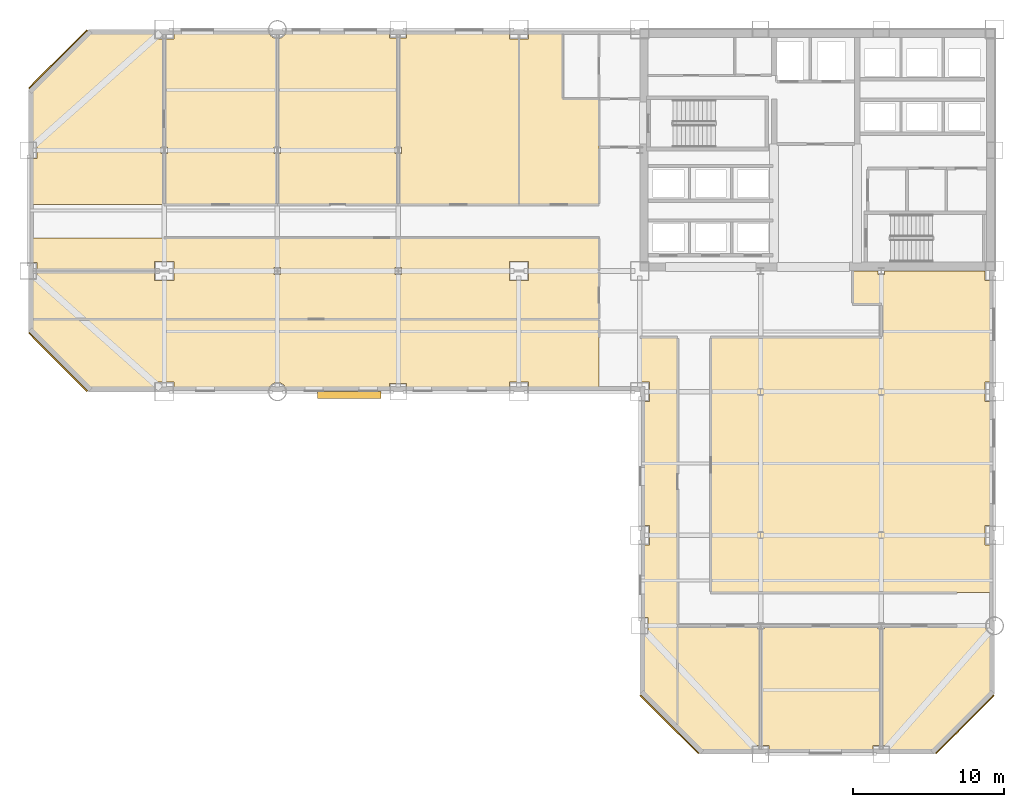
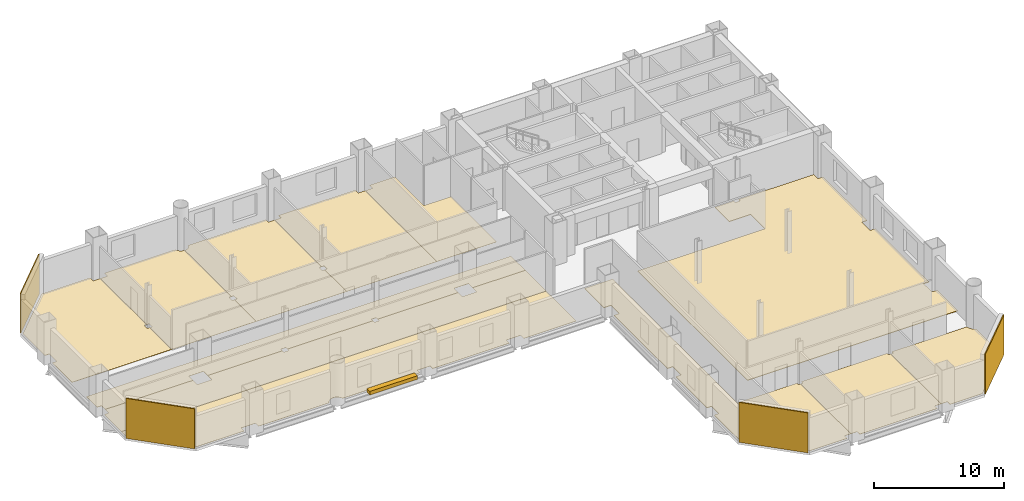
# One storey, part 8 of 9: 17 coverings, 1 shading device.
"""IFC4 building model written with IfcOpenShell, lengths in metres."""

import ifcopenshell
import ifcopenshell.guid

model = None  # the IFC model being written
_history = None  # IfcOwnerHistory: only IFC2X3 demands one
_inside = {}  # id of a spatial element -> (the spatial element, [elements in it])
_under = {}  # id of a project, library or spatial element -> (it, [spatial elements below it])
_declared = {}  # id of a project -> (the project, [libraries it declares])
_typed = {}  # id of a type object -> (the type object, [elements of that type])
_made_of = {}  # id of a material, layer set ... -> (it, [elements and type objects made of it])


def new_model(schema):
    """Start an empty IFC model of exactly this schema.

    Asked for "IFC4X3", IfcOpenShell would pick the latest addendum, in which some entities
    have other attributes; the version numbers below select the first issue.
    IFC2X3 requires an IfcOwnerHistory on every rooted entity: one is made here for all.
    """
    global model, _history
    if schema == "IFC4X3":
        model = ifcopenshell.file(schema_version=(4, 3, 0, 0))
    else:
        model = ifcopenshell.file(schema=schema)
    _inside.clear()
    _under.clear()
    _declared.clear()
    _typed.clear()
    _made_of.clear()
    _history = None
    if model.schema == "IFC2X3":
        org = make("IfcOrganization", Name="unknown")
        user = make(
            "IfcPersonAndOrganization",
            ThePerson=make("IfcPerson", FamilyName="unknown"),
            TheOrganization=org,
        )
        app = make(
            "IfcApplication",
            ApplicationDeveloper=org,
            Version="unknown",
            ApplicationFullName="unknown",
            ApplicationIdentifier="unknown",
        )
        _history = make(
            "IfcOwnerHistory",
            OwningUser=user,
            OwningApplication=app,
            ChangeAction="ADDED",
            CreationDate=0,
        )
    return model


def make(cls, **values):
    """One entity of the class cls with the attributes given. An attribute that is None is left unset."""
    return model.create_entity(
        cls, **{name: value for name, value in values.items() if value is not None}
    )


def rooted(cls, **values):
    """An entity with a GlobalId (a new one), such as an element, a storey or a relation."""
    return make(cls, GlobalId=ifcopenshell.guid.new(), OwnerHistory=_history, **values)


def si_unit(unit_type, name, prefix=None):
    """IfcSIUnit, for example si_unit("LENGTHUNIT", "METRE", prefix="MILLI")."""
    return make("IfcSIUnit", UnitType=unit_type, Prefix=prefix, Name=name)


def assignment(units):
    """IfcUnitAssignment: the units of a project."""
    return None if units is None else make("IfcUnitAssignment", Units=units)


def point(xyz):
    """IfcCartesianPoint."""
    return None if xyz is None else make("IfcCartesianPoint", Coordinates=xyz)


def direction(xyz):
    """IfcDirection."""
    return None if xyz is None else make("IfcDirection", DirectionRatios=xyz)


def frame(location, z_axis=None, x_axis=None):
    """IfcAxis2Placement3D, a coordinate frame: its origin and axes. An axis left out is left unset."""
    return make(
        "IfcAxis2Placement3D",
        Location=point(location),
        Axis=direction(z_axis),
        RefDirection=direction(x_axis),
    )


def frame_2d(location, x_axis=None):
    """IfcAxis2Placement2D, a coordinate frame in the plane: its origin and x axis."""
    return make(
        "IfcAxis2Placement2D", Location=point(location), RefDirection=direction(x_axis)
    )


def origin():
    """The frame at (0, 0, 0) with its axes left unset."""
    return frame((0.0, 0.0, 0.0))


def origin_2d():
    """The frame at (0, 0) in the plane with its x axis left unset."""
    return frame_2d((0.0, 0.0))


def place(relative_to, where):
    """IfcLocalPlacement: puts the frame where relative to a parent placement (None: the world)."""
    return make(
        "IfcLocalPlacement", PlacementRelTo=relative_to, RelativePlacement=where
    )


def context(
    kind, dimensions, precision=None, world=None, true_north=None, identifier=None
):
    """IfcGeometricRepresentationContext, for example the 3D "Model" context."""
    return make(
        "IfcGeometricRepresentationContext",
        ContextIdentifier=identifier,
        ContextType=kind,
        CoordinateSpaceDimension=dimensions,
        Precision=precision,
        WorldCoordinateSystem=world,
        TrueNorth=true_north,
    )


def subcontext(parent, identifier, kind, view, scale=None):
    """IfcGeometricRepresentationSubContext, for example "Body" below "Model"."""
    return make(
        "IfcGeometricRepresentationSubContext",
        ContextIdentifier=identifier,
        ContextType=kind,
        ParentContext=parent,
        TargetScale=scale,
        TargetView=view,
    )


def project(units=None, contexts=None):
    """IfcProject with its units and contexts."""
    return rooted(
        "IfcProject",
        Name="project",
        RepresentationContexts=contexts,
        UnitsInContext=assignment(units),
    )


def spatial(cls, under=None, at=None, **own):
    """A site, building, storey or space (cls), placed at a placement, below another one or the project."""
    s = rooted(cls, ObjectPlacement=at, **own)
    if under is not None:
        _under.setdefault(under.id(), (under, []))[1].append(s)
    return s


def polyline(points):
    """IfcPolyline through the points."""
    return make("IfcPolyline", Points=[point(p) for p in points])


def profile(cls, at=None, kind="AREA", **sizes):
    """A parametric profile (cls). Its sizes go by their IFC names, for example OverallWidth=200.0."""
    return make(cls, ProfileType=kind, Position=at, **sizes)


def rectangle(**sizes):
    """IfcRectangleProfileDef."""
    return profile("IfcRectangleProfileDef", **sizes)


def outline(outer, holes=None, kind="AREA"):
    """IfcArbitraryClosedProfileDef: a profile drawn as a closed curve; with holes, ...WithVoids."""
    if holes is None:
        return make("IfcArbitraryClosedProfileDef", ProfileType=kind, OuterCurve=outer)
    return make(
        "IfcArbitraryProfileDefWithVoids",
        ProfileType=kind,
        OuterCurve=outer,
        InnerCurves=holes,
    )


def extrude(swept, where, along, depth):
    """IfcExtrudedAreaSolid: the profile swept, set in the frame where, extruded along a direction by depth."""
    return make(
        "IfcExtrudedAreaSolid",
        SweptArea=swept,
        Position=where,
        ExtrudedDirection=direction(along),
        Depth=depth,
    )


def shape(context_of_items, identifier, shape_type, items):
    """IfcShapeRepresentation: the items that make up one representation, for example the "Body"."""
    return make(
        "IfcShapeRepresentation",
        ContextOfItems=context_of_items,
        RepresentationIdentifier=identifier,
        RepresentationType=shape_type,
        Items=items,
    )


def material(Name=None, Category=None):
    """IfcMaterial."""
    return make("IfcMaterial", Name=Name, Category=Category)


def layer(
    of_material, thickness, ventilated=None, Name=None, Category=None, Priority=None
):
    """IfcMaterialLayer: one layer of a wall or slab, of a material (None: an air gap)."""
    return make(
        "IfcMaterialLayer",
        Material=of_material,
        LayerThickness=thickness,
        IsVentilated=ventilated,
        Name=Name,
        Category=Category,
        Priority=Priority,
    )


def layer_set(layers, Name=None):
    """IfcMaterialLayerSet."""
    return make("IfcMaterialLayerSet", MaterialLayers=layers, LayerSetName=Name)


def made_of(thing, what):
    """Note that an element or type object is made of a material, layer set ...; save() writes the relation."""
    if what is not None:
        _made_of.setdefault(what.id(), (what, []))[1].append(thing)
    return thing


def type_object(cls, material=None, **own):
    """A type object (cls), such as IfcWallType, which elements share."""
    return made_of(rooted(cls, **own), material)


def element(
    cls,
    number,
    at=None,
    inside=None,
    cuts=None,
    type_object=None,
    material=None,
    context=None,
    identifier="Body",
    shape_type=None,
    held_by="IfcProductDefinitionShape",
    body=None,
    shapes=None,
    **own,
):
    """One element of the class cls, such as IfcWall. Its Tag is "e" and its number.

    at: its placement. inside: the storey or other place that contains it. cuts: it is an
    opening in that element (IfcRelVoidsElement). A single representation is given by context,
    identifier, shape_type and body (its items); several are given by shapes. held_by: the class
    of the entity that holds the representations. save() writes the other relations.
    """
    e = rooted(cls, Tag="e%d" % number, ObjectPlacement=at, **own)
    if body is not None:
        shapes = [shape(context, identifier, shape_type, body)]
    if shapes is not None:
        e.Representation = make(held_by, Representations=shapes)
    if inside is not None:
        _inside.setdefault(inside.id(), (inside, []))[1].append(e)
    if cuts is not None:
        rooted(
            "IfcRelVoidsElement", RelatingBuildingElement=cuts, RelatedOpeningElement=e
        )
    if type_object is not None:
        _typed.setdefault(type_object.id(), (type_object, []))[1].append(e)
    return made_of(e, material)


def aggregate(whole, parts):
    """IfcRelAggregates: a whole, such as a stair, and the parts it consists of."""
    return rooted("IfcRelAggregates", RelatingObject=whole, RelatedObjects=parts)


def save(model, path):
    """Write the relations noted so far, then the file.

    IfcRelAggregates (storeys below a building ...), IfcRelContainedInSpatialStructure (elements
    in a storey), IfcRelDefinesByType, IfcRelAssociatesMaterial and IfcRelDeclares: one each for
    every whole, place, type object, material and project.
    """
    for whole, parts in _under.values():
        aggregate(whole, parts)
    for where, things in _inside.values():
        rooted(
            "IfcRelContainedInSpatialStructure",
            RelatedElements=things,
            RelatingStructure=where,
        )
    for kind, things in _typed.values():
        rooted("IfcRelDefinesByType", RelatedObjects=things, RelatingType=kind)
    for what, things in _made_of.values():
        rooted("IfcRelAssociatesMaterial", RelatedObjects=things, RelatingMaterial=what)
    for by, libraries in _declared.values():
        rooted("IfcRelDeclares", RelatingContext=by, RelatedDefinitions=libraries)
    model.write(path)


model = new_model("IFC4")

# Units and contexts
model_context = context("Model", 3, precision=1e-05, world=origin(), true_north=direction((0.0, 1.0)))
body_context = subcontext(model_context, "Body", "Model", "MODEL_VIEW")
ifc_project = project(units=[si_unit("LENGTHUNIT", "METRE"), si_unit("AREAUNIT", "SQUARE_METRE"), si_unit("VOLUMEUNIT", "CUBIC_METRE"), si_unit("PLANEANGLEUNIT", "RADIAN"), si_unit("MASSUNIT", "GRAM", prefix="KILO")], contexts=[model_context])

# Site, building, storey
site_placement = place(None, origin())
site = spatial("IfcSite", under=ifc_project, at=site_placement, CompositionType="ELEMENT")
building_placement = place(site_placement, origin())
building = spatial("IfcBuilding", under=site, at=building_placement, Name="Qianrong Seaharbour Tower", CompositionType="ELEMENT")
storey_placement = place(building_placement, frame((0.0, 0.0, 44.199951171875)))
storey = spatial("IfcBuildingStorey", under=building, at=storey_placement, Name="L10", CompositionType="ELEMENT", Elevation=44.199951171875)

# Coverings
ifc_material_1 = material(Name="Unitised red brick cladding on Precast concrete C45/55", Category="masonry")
ifc_layer_1 = layer(ifc_material_1, 0.080078125)
ifc_layer_set_1 = layer_set([ifc_layer_1], Name="Unitised red brick cladding on Precast concrete C45/55")
covering_type_1 = type_object("IfcCoveringType", Name="COV-CLAD-RED-BRICK-80", PredefinedType="CLADDING", material=ifc_layer_set_1)
for number, where, z_axis, x_axis, name in (
    (1, (1.9716796875, 29.9716796875, 0.0), (0.0, 0.0, 1.0), (-0.707106781187, 0.707106781187, 0.0), "L10 Chamfer Corner Brick Cladding 02"),
    (2, (1.9716796875, 50.0283203125, 0.0), (0.0, 0.0, 1.0), (0.707106781187, 0.707106781187, 0.0), "L10 Chamfer Corner Brick Cladding 04"),
    (3, (62.0283203125, 5.9716796875, 0.0), (0.0, 0.0, 1.0), (-0.707106781187, -0.707106781187, 0.0), "L10 Chamfer Corner Brick Cladding 07"),
    (4, (42.4716796875, 5.9716796875, 0.0), (0.0, 0.0, 1.0), (-0.707106781187, 0.707106781187, 0.0), "L10 Chamfer Corner Brick Cladding 09"),
):
    element("IfcCovering", number, at=place(storey_placement, frame(where, z_axis=z_axis, x_axis=x_axis)), inside=storey, type_object=covering_type_1, Name=name, PredefinedType="CLADDING", context=body_context, shape_type="SweptSolid", body=[
        extrude(rectangle(XDim=5.456787109375, YDim=0.080078125, at=origin_2d()), origin(), (0.0, 0.0, 1.0), 3.75),
    ])
ifc_material_2 = material(Name="Acoustic modular carpet tile flooring")
ifc_layer_2 = layer(ifc_material_2, 0.02001953125)
ifc_layer_set_2 = layer_set([ifc_layer_2], Name="Acoustic modular carpet tile flooring")
covering_type_2 = type_object("IfcCoveringType", Name="COV-FLOOR-CARPET-20", PredefinedType="FLOORING", material=ifc_layer_set_2)
covering_1_placement = place(storey_placement, origin())
element("IfcCovering", 5, at=covering_1_placement, inside=storey, type_object=covering_type_2, Name="L10 Boardroom 1 Finish Flooring", PredefinedType="FLOORING", context=body_context, shape_type="SweptSolid", body=[
    extrude(outline(polyline([(0.1650390625, 43.43994140625), (0.56005859375, 43.43994140625), (0.56005859375, 44.56005859375), (0.1650390625, 44.56005859375), (0.1650390625, 47.931640625), (4.068359375, 51.8349609375), (8.364990234375, 51.8349609375), (8.364990234375, 51.364990234375), (9.0, 51.364990234375), (9.0, 44.22412109375), (8.78662109375, 44.22412109375), (8.78662109375, 43.77587890625), (9.0, 43.77587890625), (9.0, 40.39990234375), (0.1650390625, 40.39990234375), (0.1650390625, 43.43994140625)])), origin(), (0.0, 0.0, 1.0), 0.02001953125),
])
covering_2_placement = place(storey_placement, origin())
element("IfcCovering", 6, at=covering_2_placement, inside=storey, type_object=covering_type_2, Name="L10 Meeting Room 2 Finish Flooring", PredefinedType="FLOORING", context=body_context, shape_type="SweptSolid", body=[
    extrude(outline(polyline([(9.0, 43.77587890625), (9.21337890625, 43.77587890625), (9.21337890625, 44.22412109375), (9.0, 44.22412109375), (9.0, 51.364990234375), (9.635009765625, 51.364990234375), (9.635009765625, 51.8349609375), (15.915771484375, 51.8349609375), (15.936279296875, 51.7666015625), (15.992919921875, 51.6611328125), (16.068603515625, 51.568603515625), (16.1611328125, 51.492919921875), (16.2666015625, 51.436279296875), (16.381103515625, 51.401611328125), (16.5, 51.389892578125), (16.5, 44.22412109375), (16.28662109375, 44.22412109375), (16.28662109375, 43.77587890625), (16.5, 43.77587890625), (16.5, 40.39990234375), (9.0, 40.39990234375), (9.0, 43.77587890625)])), origin(), (0.0, 0.0, 1.0), 0.02001953125),
])
covering_3_placement = place(storey_placement, origin())
element("IfcCovering", 7, at=covering_3_placement, inside=storey, type_object=covering_type_2, Name="L10 Project Library 3 Finish Flooring", PredefinedType="FLOORING", context=body_context, shape_type="SweptSolid", body=[
    extrude(outline(polyline([(16.5, 43.77587890625), (16.71337890625, 43.77587890625), (16.71337890625, 44.22412109375), (16.5, 44.22412109375), (16.5, 51.389892578125), (16.618896484375, 51.401611328125), (16.7333984375, 51.436279296875), (16.8388671875, 51.492919921875), (16.931396484375, 51.568603515625), (17.007080078125, 51.6611328125), (17.063720703125, 51.7666015625), (17.084228515625, 51.8349609375), (23.93994140625, 51.8349609375), (23.93994140625, 51.43994140625), (24.5, 51.43994140625), (24.5, 44.22412109375), (24.28662109375, 44.22412109375), (24.28662109375, 43.77587890625), (24.5, 43.77587890625), (24.5, 40.39990234375), (16.5, 40.39990234375), (16.5, 43.77587890625)])), origin(), (0.0, 0.0, 1.0), 0.02001953125),
])
covering_4_placement = place(storey_placement, origin())
element("IfcCovering", 8, at=covering_4_placement, inside=storey, type_object=covering_type_2, Name="L10 Training Seminar Room 4 Finish Flooring", PredefinedType="FLOORING", context=body_context, shape_type="SweptSolid", body=[
    extrude(outline(polyline([(24.5, 43.77587890625), (24.71337890625, 43.77587890625), (24.71337890625, 44.22412109375), (24.5, 44.22412109375), (24.5, 51.43994140625), (25.06005859375, 51.43994140625), (25.06005859375, 51.8349609375), (31.864990234375, 51.8349609375), (31.864990234375, 51.364990234375), (32.5, 51.364990234375), (32.5, 40.39990234375), (24.5, 40.39990234375), (24.5, 43.77587890625)])), origin(), (0.0, 0.0, 1.0), 0.02001953125),
])
covering_5_placement = place(storey_placement, origin())
element("IfcCovering", 9, at=covering_5_placement, inside=storey, type_object=covering_type_2, Name="L10 Boardroom 5 Finish Flooring", PredefinedType="FLOORING", context=body_context, shape_type="SweptSolid", body=[
    extrude(outline(polyline([(32.5, 51.364990234375), (33.135009765625, 51.364990234375), (33.135009765625, 51.8349609375), (35.39990234375, 51.8349609375), (35.39990234375, 47.39990234375), (37.800048828125, 47.39990234375), (37.800048828125, 40.39990234375), (32.5, 40.39990234375), (32.5, 51.364990234375)])), origin(), (0.0, 0.0, 1.0), 0.02001953125),
])
covering_6_placement = place(storey_placement, origin())
element("IfcCovering", 10, at=covering_6_placement, inside=storey, type_object=covering_type_2, Name="L10 Harbour Lecture Hall 1 Finish Flooring", PredefinedType="FLOORING", context=body_context, shape_type="SweptSolid", body=[
    extrude(outline(polyline([(33.135009765625, 28.1650390625), (33.135009765625, 28.635009765625), (31.864990234375, 28.635009765625), (31.864990234375, 28.1650390625), (25.06005859375, 28.1650390625), (25.06005859375, 28.56005859375), (23.93994140625, 28.56005859375), (23.93994140625, 28.1650390625), (17.084228515625, 28.1650390625), (17.063720703125, 28.2333984375), (17.007080078125, 28.3388671875), (16.931396484375, 28.431396484375), (16.8388671875, 28.507080078125), (16.7333984375, 28.563720703125), (16.618896484375, 28.598388671875), (16.5, 28.610107421875), (16.381103515625, 28.598388671875), (16.2666015625, 28.563720703125), (16.1611328125, 28.507080078125), (16.068603515625, 28.431396484375), (15.992919921875, 28.3388671875), (15.936279296875, 28.2333984375), (15.915771484375, 28.1650390625), (9.635009765625, 28.1650390625), (9.635009765625, 28.635009765625), (8.364990234375, 28.635009765625), (8.364990234375, 28.1650390625), (4.068359375, 28.1650390625), (0.1650390625, 32.068359375), (0.1650390625, 32.800048828125), (37.800048828125, 32.800048828125), (37.800048828125, 28.1650390625), (33.135009765625, 28.1650390625)])), origin(), (0.0, 0.0, 1.0), 0.02001953125),
])
covering_7_placement = place(storey_placement, origin())
element("IfcCovering", 11, at=covering_7_placement, inside=storey, type_object=covering_type_2, Name="L10 Division Conference Gallery 2 Finish Flooring", PredefinedType="FLOORING", context=body_context, shape_type="SweptSolid", body=[
    extrude(outline(polyline([(0.1650390625, 32.800048828125), (0.1650390625, 35.43994140625), (0.56005859375, 35.43994140625), (0.56005859375, 36.0), (8.364990234375, 36.0), (8.364990234375, 35.364990234375), (9.635009765625, 35.364990234375), (9.635009765625, 36.0), (16.28662109375, 36.0), (16.28662109375, 35.77587890625), (16.71337890625, 35.77587890625), (16.71337890625, 36.0), (24.28662109375, 36.0), (24.28662109375, 35.77587890625), (24.71337890625, 35.77587890625), (24.71337890625, 36.0), (31.864990234375, 36.0), (31.864990234375, 35.364990234375), (33.135009765625, 35.364990234375), (33.135009765625, 36.0), (37.800048828125, 36.0), (37.800048828125, 32.800048828125), (0.1650390625, 32.800048828125)])), origin(), (0.0, 0.0, 1.0), 0.02001953125),
])
covering_8_placement = place(storey_placement, origin())
element("IfcCovering", 12, at=covering_8_placement, inside=storey, type_object=covering_type_2, Name="L10 Wet Pantry 3 Finish Flooring", PredefinedType="FLOORING", context=body_context, shape_type="SweptSolid", body=[
    extrude(outline(polyline([(33.135009765625, 36.0), (33.135009765625, 36.635009765625), (31.864990234375, 36.635009765625), (31.864990234375, 36.0), (24.71337890625, 36.0), (24.71337890625, 36.22412109375), (24.28662109375, 36.22412109375), (24.28662109375, 36.0), (16.71337890625, 36.0), (16.71337890625, 36.22412109375), (16.28662109375, 36.22412109375), (16.28662109375, 36.0), (9.635009765625, 36.0), (9.635009765625, 36.635009765625), (8.364990234375, 36.635009765625), (8.364990234375, 36.0), (0.56005859375, 36.0), (0.56005859375, 36.56005859375), (0.1650390625, 36.56005859375), (0.1650390625, 38.199951171875), (37.800048828125, 38.199951171875), (37.800048828125, 36.0), (33.135009765625, 36.0)])), origin(), (0.0, 0.0, 1.0), 0.02001953125),
])
covering_9_placement = place(storey_placement, origin())
element("IfcCovering", 13, at=covering_9_placement, inside=storey, type_object=covering_type_2, Name="L10 Maritime Seminar Room 1 Finish Flooring", PredefinedType="FLOORING", context=body_context, shape_type="SweptSolid", body=[
    extrude(outline(polyline([(48.5, 4.56005859375), (47.93994140625, 4.56005859375), (47.93994140625, 4.1650390625), (44.568359375, 4.1650390625), (43.0, 5.7333984375), (43.0, 12.5), (48.28662109375, 12.5), (48.28662109375, 12.27587890625), (48.5, 12.27587890625), (48.5, 4.56005859375)])), origin(), (0.0, 0.0, 1.0), 0.02001953125),
])
covering_10_placement = place(storey_placement, origin())
element("IfcCovering", 14, at=covering_10_placement, inside=storey, type_object=covering_type_2, Name="L10 Meeting Room 2 Finish Flooring", PredefinedType="FLOORING", context=body_context, shape_type="SweptSolid", body=[
    extrude(outline(polyline([(56.5, 4.56005859375), (55.93994140625, 4.56005859375), (55.93994140625, 4.1650390625), (49.06005859375, 4.1650390625), (49.06005859375, 4.56005859375), (48.5, 4.56005859375), (48.5, 12.27587890625), (48.71337890625, 12.27587890625), (48.71337890625, 12.5), (56.28662109375, 12.5), (56.28662109375, 12.27587890625), (56.5, 12.27587890625), (56.5, 4.56005859375)])), origin(), (0.0, 0.0, 1.0), 0.02001953125),
])
covering_11_placement = place(storey_placement, origin())
element("IfcCovering", 15, at=covering_11_placement, inside=storey, type_object=covering_type_2, Name="L10 Standards Library 3 Finish Flooring", PredefinedType="FLOORING", context=body_context, shape_type="SweptSolid", body=[
    extrude(outline(polyline([(63.8349609375, 8.068359375), (59.931640625, 4.1650390625), (57.06005859375, 4.1650390625), (57.06005859375, 4.56005859375), (56.5, 4.56005859375), (56.5, 12.27587890625), (56.71337890625, 12.27587890625), (56.71337890625, 12.5), (63.389892578125, 12.5), (63.401611328125, 12.381103515625), (63.436279296875, 12.2666015625), (63.492919921875, 12.1611328125), (63.568603515625, 12.068603515625), (63.6611328125, 11.992919921875), (63.7666015625, 11.936279296875), (63.8349609375, 11.915771484375), (63.8349609375, 8.068359375)])), origin(), (0.0, 0.0, 1.0), 0.02001953125),
])
ifc_material_3 = material(Name="Calcium-sulphate raised access floor tile")
ifc_layer_3 = layer(ifc_material_3, 0.044921875)
ifc_layer_set_3 = layer_set([ifc_layer_3], Name="Calcium-sulphate raised access floor tile")
covering_type_3 = type_object("IfcCoveringType", Name="COV-FLOOR-RAISED-45", PredefinedType="FLOORING", material=ifc_layer_set_3)
covering_12_placement = place(storey_placement, origin())
element("IfcCovering", 16, at=covering_12_placement, inside=storey, type_object=covering_type_3, Name="L10 South Wing Open-Plan Office Finish Flooring", PredefinedType="FLOORING", context=body_context, shape_type="SweptSolid", body=[
    extrude(outline(polyline([(56.5, 31.60009765625), (56.5, 33.800048828125), (54.60009765625, 33.800048828125), (54.60009765625, 36.0), (56.28662109375, 36.0), (56.28662109375, 35.77587890625), (56.71337890625, 35.77587890625), (56.71337890625, 36.0), (63.364990234375, 36.0), (63.364990234375, 35.364990234375), (63.8349609375, 35.364990234375), (63.8349609375, 28.635009765625), (63.364990234375, 28.635009765625), (63.364990234375, 27.364990234375), (63.8349609375, 27.364990234375), (63.8349609375, 19.135009765625), (63.364990234375, 19.135009765625), (63.364990234375, 17.864990234375), (63.8349609375, 17.864990234375), (63.8349609375, 14.699951171875), (45.199951171875, 14.699951171875), (45.199951171875, 31.60009765625), (56.5, 31.60009765625)])), origin(), (0.0, 0.0, 1.0), 0.045166015625),
])
covering_13_placement = place(storey_placement, origin())
element("IfcCovering", 17, at=covering_13_placement, inside=storey, type_object=covering_type_3, Name="L10 West Spine Open-Plan Office Finish Flooring", PredefinedType="FLOORING", context=body_context, shape_type="SweptSolid", body=[
    extrude(outline(polyline([(43.0, 5.7333984375), (40.6650390625, 8.068359375), (40.6650390625, 11.93994140625), (41.06005859375, 11.93994140625), (41.06005859375, 13.06005859375), (40.6650390625, 13.06005859375), (40.6650390625, 17.864990234375), (41.135009765625, 17.864990234375), (41.135009765625, 19.135009765625), (40.6650390625, 19.135009765625), (40.6650390625, 27.364990234375), (41.135009765625, 27.364990234375), (41.135009765625, 28.635009765625), (40.5, 28.635009765625), (40.5, 31.60009765625), (43.0, 31.60009765625), (43.0, 5.7333984375)])), origin(), (0.0, 0.0, 1.0), 0.045166015625),
])

# Shading device
ifc_material_4 = material(Name="White architectural precast concrete C45/55", Category="concrete")
shading_device_type = type_object("IfcShadingDeviceType", Name="SHD-SUNSHADE-WHITE-320", PredefinedType="AWNING", material=ifc_material_4)
shading_device_placement = place(storey_placement, frame((21.25, 27.780029296875, -0.02001953125), z_axis=(0.0, 0.0, 1.0), x_axis=(1.0, 0.0, 0.0)))
element("IfcShadingDevice", 18, at=shading_device_placement, inside=storey, type_object=shading_device_type, Name="L10 Climbing White Precast Ribbon Canopy Fin", PredefinedType="AWNING", context=body_context, shape_type="SweptSolid", body=[
    extrude(rectangle(XDim=4.199951171875, YDim=0.4599609375, at=origin_2d()), origin(), (0.0, 0.0, 1.0), 0.340087890625),
])

save(model, "model.ifc")
